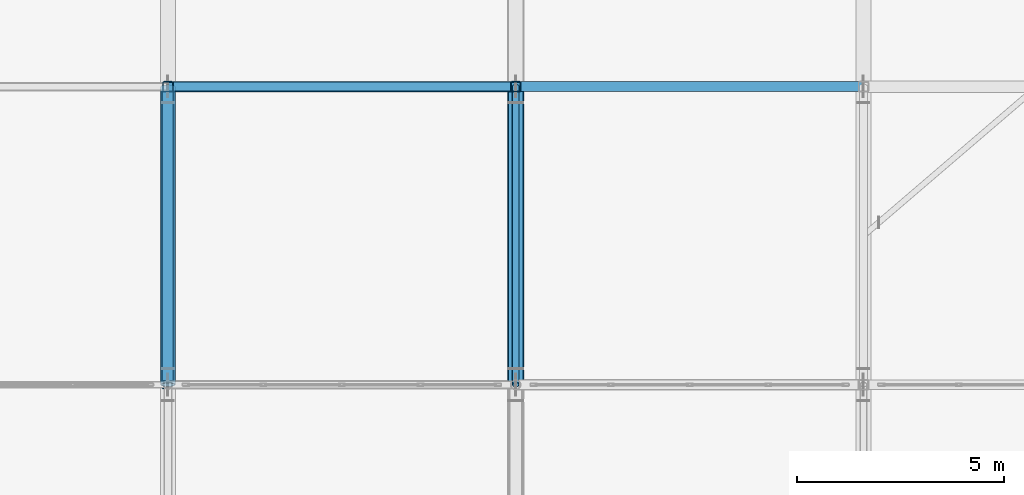
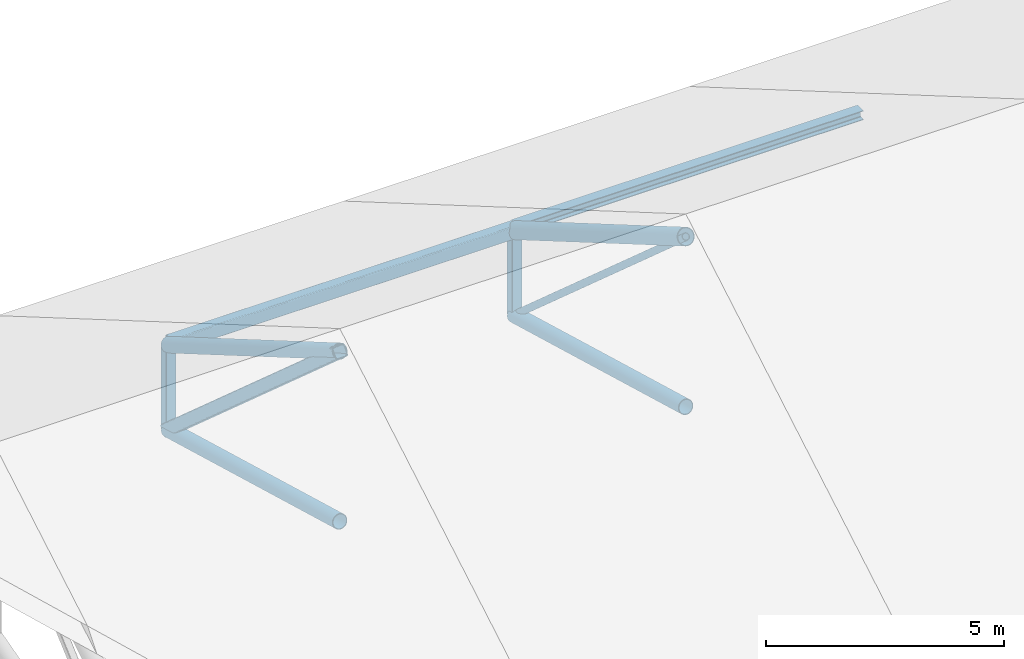
# One storey, part 18 of 54: 10 members.
"""IFC4 building model written with IfcOpenShell, lengths in metres."""

from ifc_helpers import new_model, si_unit, direction, frame, origin, origin_2d, place, context, subcontext, project, spatial, hollow_rectangle, hollow_circle, i_section, extrude, material, material_profile, profile_set, type_object, element, save


model = new_model("IFC4")

# Units and contexts
model_context = context("Model", 3, precision=1e-05, world=origin(), true_north=direction((0.0, 1.0)))
body_context = subcontext(model_context, "Body", "Model", "MODEL_VIEW")
ifc_project = project(units=[si_unit("LENGTHUNIT", "METRE"), si_unit("AREAUNIT", "SQUARE_METRE"), si_unit("VOLUMEUNIT", "CUBIC_METRE"), si_unit("PLANEANGLEUNIT", "RADIAN"), si_unit("MASSUNIT", "GRAM", prefix="KILO")], contexts=[model_context])

# Site, building, storey
site_placement = place(None, origin())
site = spatial("IfcSite", under=ifc_project, at=site_placement, CompositionType="ELEMENT")
building_placement = place(site_placement, origin())
building = spatial("IfcBuilding", under=site, at=building_placement, Name="Zulmaris Art Gallery", CompositionType="ELEMENT")
storey_placement = place(building_placement, frame((0.0, 0.0, 26.39990234375)))
storey = spatial("IfcBuildingStorey", under=building, at=storey_placement, Name="L05", CompositionType="ELEMENT", Elevation=26.39990234375)

# Members
ifc_material_1 = material(Name="Steel S355J2H", Category="steel")
ifc_material_profile_1 = material_profile(ifc_material_1, hollow_rectangle(XDim=0.25, YDim=0.35009765625, WallThickness=0.01611328125, InnerFilletRadius=0.02392578125, OuterFilletRadius=0.0400390625, at=origin_2d()), Name="RHS 350x250x16")
ifc_profile_set_1 = profile_set([ifc_material_profile_1], Name="Steel S355J2H")
member_type_1 = type_object("IfcMemberType", Name="MEM-PR04", PredefinedType="PURLIN", material=ifc_profile_set_1)
member_1_placement = place(storey_placement, frame((57.60009765625, 43.199951171875, 3.64501953125), z_axis=(1.0, 0.0, 0.0), x_axis=(0.0, 1.0, 0.0)))
element("IfcMember", 1, at=member_1_placement, inside=storey, type_object=member_type_1, Name="Skylight roof purlin bay 7 line 4", PredefinedType="PURLIN", context=body_context, shape_type="SweptSolid", body=[
    extrude(hollow_rectangle(XDim=0.25, YDim=0.35009765625, WallThickness=0.01611328125, InnerFilletRadius=0.02392578125, OuterFilletRadius=0.0400390625, at=origin_2d()), origin(), (0.0, 0.0, 1.0), 8.39990234375),
])
ifc_material_2 = material(Name="Steel S355J2", Category="steel")
ifc_material_profile_2 = material_profile(ifc_material_2, i_section(OverallWidth=0.239990234375, OverallDepth=0.239990234375, WebThickness=0.010009765625, FlangeThickness=0.01708984375, FilletRadius=0.02099609375, at=origin_2d()), Name="HEB 240")
ifc_profile_set_2 = profile_set([ifc_material_profile_2], Name="Steel S355J2")
member_type_2 = type_object("IfcMemberType", Name="MEM-PR05", PredefinedType="PURLIN", material=ifc_profile_set_2)
member_2_placement = place(storey_placement, frame((66.0, 43.199951171875, 3.7001953125), z_axis=(1.0, 0.0, 0.0), x_axis=(0.0, 1.0, 0.0)))
element("IfcMember", 2, at=member_2_placement, inside=storey, type_object=member_type_2, Name="Skylight roof purlin bay 8 line 4", PredefinedType="PURLIN", context=body_context, shape_type="SweptSolid", body=[
    extrude(i_section(OverallWidth=0.239990234375, OverallDepth=0.239990234375, WebThickness=0.010009765625, FlangeThickness=0.01708984375, FilletRadius=0.02099609375, at=origin_2d()), origin(), (0.0, 0.0, 1.0), 8.39990234375),
])
ifc_material_profile_3 = material_profile(ifc_material_1, hollow_circle(Radius=0.084228515625, WallThickness=0.008056640625, at=origin_2d()), Name="CHS 168.3x8")
ifc_profile_set_3 = profile_set([ifc_material_profile_3], Name="Steel S355J2H")
member_type_3 = type_object("IfcMemberType", Name="MEM-TB01", PredefinedType="BRACE", material=ifc_profile_set_3)
member_3_placement = place(storey_placement, frame((66.0, 36.0, 7.820068359375), z_axis=(0.0, 0.748961175261, -0.662613883006), x_axis=(-1.0, 0.0, 0.0)))
element("IfcMember", 3, at=member_3_placement, inside=storey, type_object=member_type_3, Name="Pitched gallery truss TR-R08 diagonal 3", PredefinedType="BRACE", context=body_context, shape_type="SweptSolid", body=[
    extrude(hollow_circle(Radius=0.084228515625, WallThickness=0.008056640625, at=origin_2d()), origin(), (0.0, 0.0, 1.0), 9.61328125),
])
ifc_material_profile_4 = material_profile(ifc_material_1, hollow_rectangle(XDim=0.300048828125, YDim=0.300048828125, WallThickness=0.01611328125, InnerFilletRadius=0.02392578125, OuterFilletRadius=0.0400390625, at=origin_2d()), Name="SHS 300x300x16")
ifc_profile_set_4 = profile_set([ifc_material_profile_4], Name="Steel S355J2H")
member_type_4 = type_object("IfcMemberType", Name="MEM-TB07", PredefinedType="BRACE", material=ifc_profile_set_4)
member_4_placement = place(storey_placement, frame((57.60009765625, 36.0, 7.820068359375), z_axis=(0.0, 0.748961175261, -0.662613883006), x_axis=(-1.0, 0.0, 0.0)))
element("IfcMember", 4, at=member_4_placement, inside=storey, type_object=member_type_4, Name="Pitched gallery truss TR-R07 diagonal 3", PredefinedType="BRACE", context=body_context, shape_type="SweptSolid", body=[
    extrude(hollow_rectangle(XDim=0.300048828125, YDim=0.300048828125, WallThickness=0.01611328125, InnerFilletRadius=0.02392578125, OuterFilletRadius=0.0400390625, at=origin_2d()), origin(), (0.0, 0.0, 1.0), 9.61328125),
])
ifc_material_profile_5 = material_profile(ifc_material_1, hollow_circle(Radius=0.177734375, WallThickness=0.01611328125, at=origin_2d()), Name="CHS 355.6x16")
ifc_profile_set_5 = profile_set([ifc_material_profile_5], Name="Steel S355J2H")
member_type_5 = type_object("IfcMemberType", Name="MEM-TC01", PredefinedType="CHORD", material=ifc_profile_set_5)
member_5_placement = place(storey_placement, frame((57.60009765625, 36.0, 7.820068359375), z_axis=(0.0, 0.863779963214, -0.503869204407), x_axis=(-1.0, 0.0, 0.0)))
element("IfcMember", 5, at=member_5_placement, inside=storey, type_object=member_type_5, Name="Pitched gallery truss TR-R07 top chord 3", PredefinedType="CHORD", context=body_context, shape_type="SweptSolid", body=[
    extrude(hollow_circle(Radius=0.177734375, WallThickness=0.01611328125, at=origin_2d()), origin(), (0.0, 0.0, 1.0), 8.33544921875),
])
for number, where, z_axis, x_axis, name in (
    (6, (57.60009765625, 36.0, 3.4501953125), (0.0, 0.963517441554, -0.267645548853), (-1.0, 0.0, 0.0), "Pitched gallery truss TR-R07 bottom chord 3"),
    (7, (66.0, 36.0, 3.4501953125), (0.0, 0.963517441554, -0.267645548853), (-1.0, 0.0, 0.0), "Pitched gallery truss TR-R08 bottom chord 3"),
):
    element("IfcMember", number, at=place(storey_placement, frame(where, z_axis=z_axis, x_axis=x_axis)), inside=storey, type_object=member_type_5, Name=name, PredefinedType="CHORD", context=body_context, shape_type="SweptSolid", body=[
        extrude(hollow_circle(Radius=0.177734375, WallThickness=0.01611328125, at=origin_2d()), origin(), (0.0, 0.0, 1.0), 7.47265625),
    ])
ifc_material_profile_6 = material_profile(ifc_material_1, hollow_circle(Radius=0.203125, WallThickness=0.01611328125, at=origin_2d()), Name="CHS 406.4x16")
ifc_profile_set_6 = profile_set([ifc_material_profile_6], Name="Steel S355J2H")
member_type_6 = type_object("IfcMemberType", Name="MEM-TC02", PredefinedType="CHORD", material=ifc_profile_set_6)
member_6_placement = place(storey_placement, frame((66.0, 36.0, 7.820068359375), z_axis=(0.0, 0.863779963214, -0.503869204407), x_axis=(-1.0, 0.0, 0.0)))
element("IfcMember", 8, at=member_6_placement, inside=storey, type_object=member_type_6, Name="Pitched gallery truss TR-R08 top chord 3", PredefinedType="CHORD", context=body_context, shape_type="SweptSolid", body=[
    extrude(hollow_circle(Radius=0.203125, WallThickness=0.01611328125, at=origin_2d()), origin(), (0.0, 0.0, 1.0), 8.33544921875),
])
ifc_material_profile_7 = material_profile(ifc_material_1, hollow_rectangle(XDim=0.25, YDim=0.25, WallThickness=0.012451171875, InnerFilletRadius=0.018798828125, OuterFilletRadius=0.03125, at=origin_2d()), Name="SHS 250x250x12.5")
ifc_profile_set_7 = profile_set([ifc_material_profile_7], Name="Steel S355J2H")
member_type_7 = type_object("IfcMemberType", Name="MEM-TP05", PredefinedType="POST", material=ifc_profile_set_7)
for number, where, z_axis, x_axis, name in (
    (9, (57.60009765625, 43.199951171875, 1.4501953125), (0.0, 0.0, 1.0), (1.0, 0.0, 0.0), "Pitched gallery truss TR-R07 web post 4"),
    (10, (66.0, 43.199951171875, 1.4501953125), (0.0, 0.0, 1.0), (1.0, 0.0, 0.0), "Pitched gallery truss TR-R08 web post 4"),
):
    element("IfcMember", number, at=place(storey_placement, frame(where, z_axis=z_axis, x_axis=x_axis)), inside=storey, type_object=member_type_7, Name=name, PredefinedType="POST", context=body_context, shape_type="SweptSolid", body=[
        extrude(hollow_rectangle(XDim=0.25, YDim=0.25, WallThickness=0.012451171875, InnerFilletRadius=0.018798828125, OuterFilletRadius=0.03125, at=origin_2d()), origin(), (0.0, 0.0, 1.0), 2.169921875),
    ])

save(model, "model.ifc")
